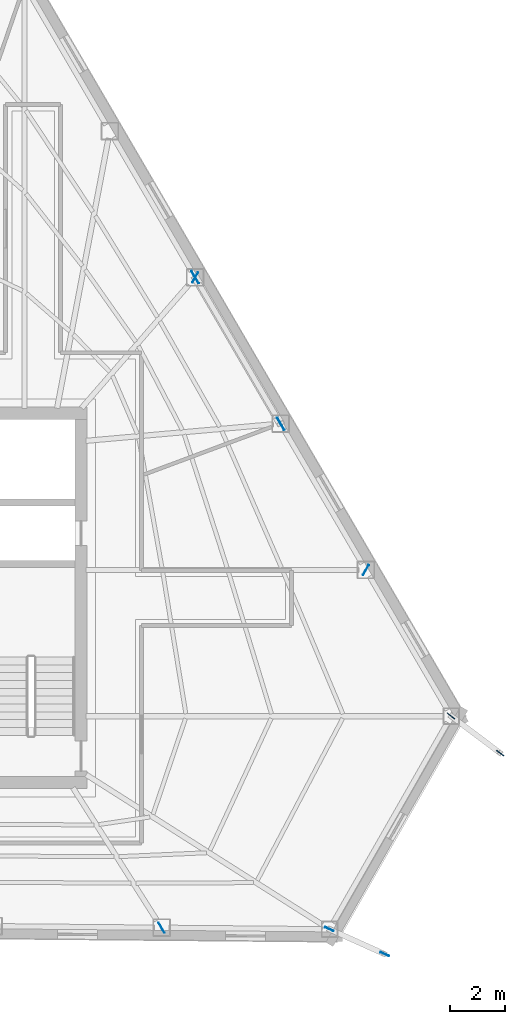
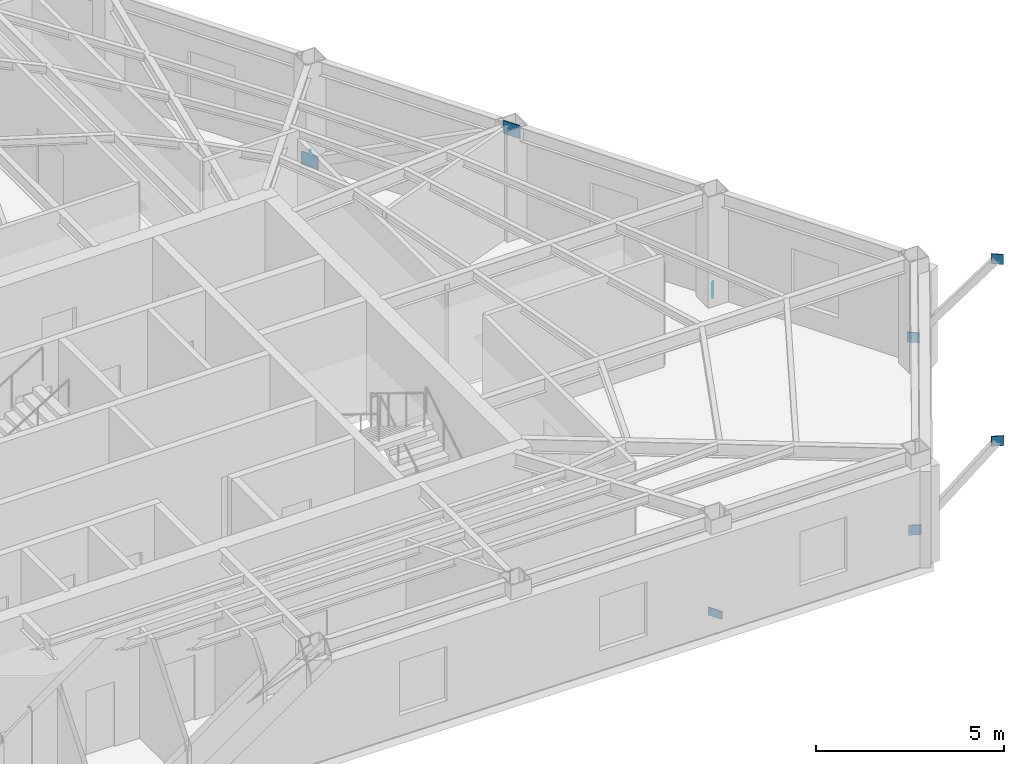
# One storey, part 5 of 10: 9 plates.
"""IFC4 building model written with IfcOpenShell, lengths in metres."""

from ifc_helpers import new_model, si_unit, direction, frame, origin, origin_2d, place, context, subcontext, project, spatial, rectangle, extrude, material, layer, layer_set, type_object, element, save


model = new_model("IFC4")

# Units and contexts
model_context = context("Model", 3, precision=1e-05, world=origin(), true_north=direction((0.0, 1.0)))
body_context = subcontext(model_context, "Body", "Model", "MODEL_VIEW")
ifc_project = project(units=[si_unit("LENGTHUNIT", "METRE"), si_unit("AREAUNIT", "SQUARE_METRE"), si_unit("VOLUMEUNIT", "CUBIC_METRE"), si_unit("PLANEANGLEUNIT", "RADIAN"), si_unit("MASSUNIT", "GRAM", prefix="KILO")], contexts=[model_context])

# Site, building, storey
site_placement = place(None, origin())
site = spatial("IfcSite", under=ifc_project, at=site_placement, CompositionType="ELEMENT")
building_placement = place(site_placement, origin())
building = spatial("IfcBuilding", under=site, at=building_placement, Name="Kavelnor Concourse Tower", CompositionType="ELEMENT")
storey_placement = place(building_placement, frame((0.0, 0.0, 188.10009765625)))
storey = spatial("IfcBuildingStorey", under=building, at=storey_placement, Name="L47", CompositionType="ELEMENT", Elevation=188.10009765625)

# Plates
ifc_material = material(Name="Steel Grade 350", Category="steel")
ifc_layer_1 = layer(ifc_material, 0.028076171875, Name="Steel Grade 350")
ifc_layer_set_1 = layer_set([ifc_layer_1], Name="Steel Grade 350")
plate_type_1 = type_object("IfcPlateType", Name="PL-GUSSET-FOLD", PredefinedType="USERDEFINED", material=ifc_layer_set_1)
for number, where, z_axis, x_axis, name in (
    (1, (56.76904296875, 4.05224609375, 0.73974609375), (0.0, 0.0, 1.0), (0.911690345728, -0.410877978854, 0.0), "L47 Terrace Strut Gusset GP4 C2-A End Gusset A"),
    (2, (58.784912109375, 3.143798828125, 3.47509765625), (0.0, 0.0, 1.0), (0.911690345728, -0.410877978854, 0.0), "L47 Terrace Strut Gusset GP4 C2-A End Gusset B"),
    (3, (61.197998046875, 11.80615234375, 0.73974609375), (0.0, 0.0, 1.0), (0.798635510047, -0.601815023152, 0.0), "L47 Terrace Strut Gusset GP4 C2-B End Gusset A"),
    (4, (62.993408203125, 10.453369140625, 3.47509765625), (0.0, 0.0, 1.0), (0.798635510047, -0.601815023152, 0.0), "L47 Terrace Strut Gusset GP4 C2-B End Gusset B"),
):
    element("IfcPlate", number, at=place(storey_placement, frame(where, z_axis=z_axis, x_axis=x_axis)), inside=storey, type_object=plate_type_1, Name=name, ObjectType="GUSSET_PLATE", PredefinedType="USERDEFINED", context=body_context, shape_type="SweptSolid", body=[
        extrude(rectangle(XDim=0.340087890625, YDim=0.028076171875, at=origin_2d()), origin(), (0.0, 0.0, 1.0), 0.320068359375),
    ])
ifc_layer_2 = layer(ifc_material, 0.031982421875, Name="Steel Grade 350")
ifc_layer_set_2 = layer_set([ifc_layer_2], Name="Steel Grade 350")
plate_type_2 = type_object("IfcPlateType", Name="PL-GUSSET-TUBE-Z1", PredefinedType="USERDEFINED", material=ifc_layer_set_2)
for number, where, z_axis, x_axis, name in (
    (5, (51.8876953125, 27.773681640625, 0.010009765625), (0.0, 0.0, 1.0), (0.503924737109, -0.863747566902, 0.0), "L47 Tube Brace Gusset GP3 F2-B2 End Gusset A"),
    (6, (55.00439453125, 22.431396484375, 3.159912109375), (0.0, 0.0, 1.0), (0.503924737109, -0.863747566902, 0.0), "L47 Tube Brace Gusset GP3 F2-B2 End Gusset B"),
):
    element("IfcPlate", number, at=place(storey_placement, frame(where, z_axis=z_axis, x_axis=x_axis)), inside=storey, type_object=plate_type_2, Name=name, ObjectType="GUSSET_PLATE", PredefinedType="USERDEFINED", context=body_context, shape_type="SweptSolid", body=[
        extrude(rectangle(XDim=0.52001953125, YDim=0.031982421875, at=origin_2d()), origin(), (0.0, 0.0, 1.0), 0.419921875),
    ])
ifc_layer_3 = layer(ifc_material, 0.02490234375, Name="Steel Grade 350")
ifc_layer_set_3 = layer_set([ifc_layer_3], Name="Steel Grade 350")
plate_type_3 = type_object("IfcPlateType", Name="PL-SPLICE-FLANGE", PredefinedType="SHEET", material=ifc_layer_set_3)
for number, where, z_axis, x_axis, name in (
    (7, (50.6689453125, 4.103271484375, 0.169921875), (0.0, 0.0, 1.0), (-0.5, 0.866025403784, 0.0), "L47 Column Flange Splice Plate F1-B5"),
    (8, (58.10302734375, 17.120361328125, 0.169921875), (0.0, 0.0, 1.0), (-0.5, -0.866025403784, 0.0), "L47 Column Flange Splice Plate F2-B1"),
    (9, (51.893798828125, 27.76318359375, 0.169921875), (0.0, 0.0, 1.0), (-0.5, -0.866025403784, 0.0), "L47 Column Flange Splice Plate F2-B3"),
):
    element("IfcPlate", number, at=place(storey_placement, frame(where, z_axis=z_axis, x_axis=x_axis)), inside=storey, type_object=plate_type_3, Name=name, PredefinedType="SHEET", context=body_context, shape_type="SweptSolid", body=[
        extrude(rectangle(XDim=0.419921875, YDim=0.02490234375, at=origin_2d()), origin(), (0.0, 0.0, 1.0), 0.260009765625),
    ])

save(model, "model.ifc")
